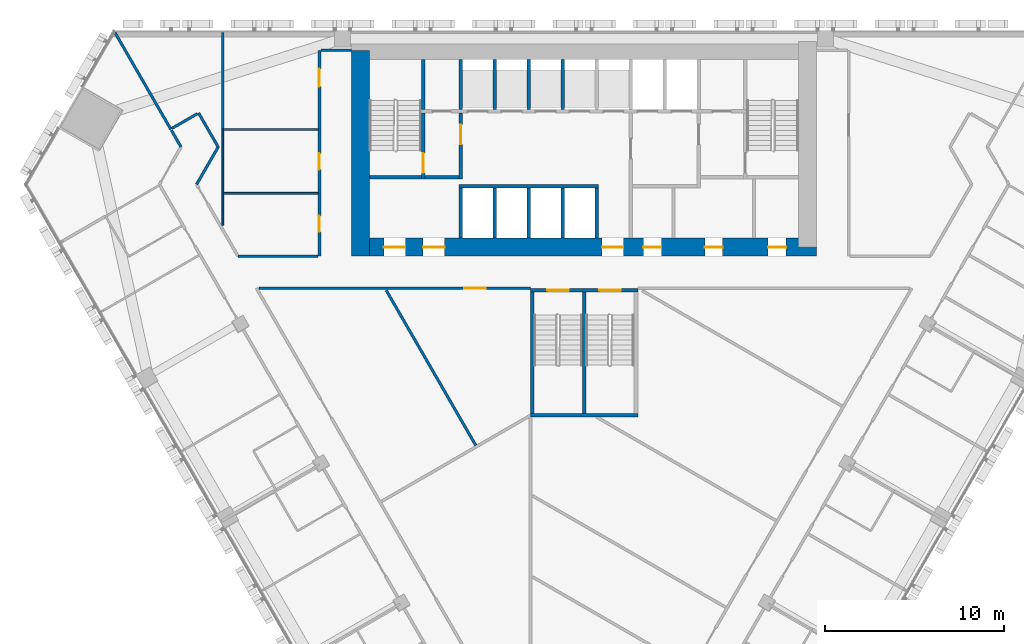
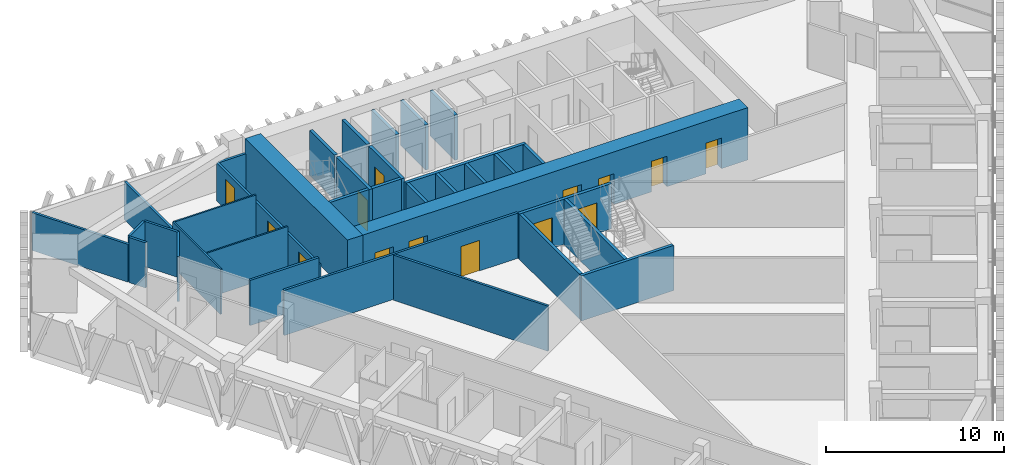
# One storey, part 12 of 17: 35 walls, 14 doors, 14 openings.
"""IFC4 building model written with IfcOpenShell, lengths in metres."""

from ifc_helpers import new_model, si_unit, direction, frame, frame_2d, origin, place, context, subcontext, project, spatial, rectangle, extrude, material, layer, layer_set, type_object, element, fill, save


model = new_model("IFC4")

# Units and contexts
model_context = context("Model", 3, precision=1e-05, world=origin(), true_north=direction((0.0, 1.0)))
body_context = subcontext(model_context, "Body", "Model", "MODEL_VIEW")
ifc_project = project(units=[si_unit("LENGTHUNIT", "METRE"), si_unit("AREAUNIT", "SQUARE_METRE"), si_unit("VOLUMEUNIT", "CUBIC_METRE"), si_unit("PLANEANGLEUNIT", "RADIAN"), si_unit("MASSUNIT", "GRAM", prefix="KILO")], contexts=[model_context])

# Site, building, storey
site_placement = place(None, origin())
site = spatial("IfcSite", under=ifc_project, at=site_placement, CompositionType="ELEMENT")
building_placement = place(site_placement, origin())
building = spatial("IfcBuilding", under=site, at=building_placement, Name="Altiplano Prism Tower", CompositionType="ELEMENT")
storey_placement = place(building_placement, frame((0.0, 0.0, 30.60009765625)))
storey = spatial("IfcBuildingStorey", under=building, at=storey_placement, Name="L06", CompositionType="ELEMENT", Elevation=30.60009765625)

# Wall, openings, doors
ifc_material_1 = material(Name="Concrete C70/85", Category="concrete")
ifc_layer_1 = layer(ifc_material_1, 1.0)
ifc_layer_set_1 = layer_set([ifc_layer_1], Name="Concrete C70/85")
wall_type_1 = type_object("IfcWallType", Name="Core wall 1000", PredefinedType="SHEAR", material=ifc_layer_set_1)
wall_1_placement = place(storey_placement, frame((72.5, 92.89990234375, 0.0), z_axis=(0.0, 0.0, 1.0), x_axis=(1.0, 0.0, 0.0)))
wall_1 = element("IfcWall", 1, at=wall_1_placement, inside=storey, type_object=wall_type_1, Name="Core wall S L06", PredefinedType="SHEAR", context=body_context, shape_type="SweptSolid", body=[
    extrude(rectangle(XDim=25.5, YDim=1.0, at=frame_2d((12.75, 0.0))), origin(), (0.0, 0.0, 1.0), 3.599853515625),
])
opening_1_placement = place(wall_1_placement, frame((1.300048828125, 0.0, 0.0)))
opening_1 = element("IfcOpeningElement", 2, at=opening_1_placement, cuts=wall_1, Name="Opening D2673", PredefinedType="OPENING", context=body_context, shape_type="SweptSolid", body=[
    extrude(rectangle(XDim=1.199951171875, YDim=2.10009765625, at=frame_2d((0.60009765625, 1.050048828125))), frame((0.0, 0.510498046875, 0.0), z_axis=(0.0, -1.0, 0.0), x_axis=(1.0, 0.0, 0.0)), (0.0, 0.0, 1.0), 1.02099609375),
])
opening_2_placement = place(wall_1_placement, frame((3.5, 0.0, 0.0)))
opening_2 = element("IfcOpeningElement", 3, at=opening_2_placement, cuts=wall_1, Name="Opening D2674", PredefinedType="OPENING", context=body_context, shape_type="SweptSolid", body=[
    extrude(rectangle(XDim=1.199951171875, YDim=2.10009765625, at=frame_2d((0.60009765625, 1.050048828125))), frame((0.0, 0.510498046875, 0.0), z_axis=(0.0, -1.0, 0.0), x_axis=(1.0, 0.0, 0.0)), (0.0, 0.0, 1.0), 1.02099609375),
])
opening_3_placement = place(wall_1_placement, frame((13.5, 0.0, 0.0)))
opening_3 = element("IfcOpeningElement", 4, at=opening_3_placement, cuts=wall_1, Name="Opening D2675", PredefinedType="OPENING", context=body_context, shape_type="SweptSolid", body=[
    extrude(rectangle(XDim=1.199951171875, YDim=2.10009765625, at=frame_2d((0.60009765625, 1.050048828125))), frame((0.0, 0.510498046875, 0.0), z_axis=(0.0, -1.0, 0.0), x_axis=(1.0, 0.0, 0.0)), (0.0, 0.0, 1.0), 1.02099609375),
])
opening_4_placement = place(wall_1_placement, frame((15.8125, 0.0, 0.0)))
opening_4 = element("IfcOpeningElement", 5, at=opening_4_placement, cuts=wall_1, Name="Opening D2678", PredefinedType="OPENING", context=body_context, shape_type="SweptSolid", body=[
    extrude(rectangle(XDim=1.0, YDim=2.10009765625, at=frame_2d((0.5, 1.050048828125))), frame((0.0, 0.510498046875, 0.0), z_axis=(0.0, -1.0, 0.0), x_axis=(1.0, 0.0, 0.0)), (0.0, 0.0, 1.0), 1.02099609375),
])
opening_5_placement = place(wall_1_placement, frame((19.25, 0.0, 0.0)))
opening_5 = element("IfcOpeningElement", 6, at=opening_5_placement, cuts=wall_1, Name="Opening D2679", PredefinedType="OPENING", context=body_context, shape_type="SweptSolid", body=[
    extrude(rectangle(XDim=1.0, YDim=2.10009765625, at=frame_2d((0.5, 1.050048828125))), frame((0.0, 0.510498046875, 0.0), z_axis=(0.0, -1.0, 0.0), x_axis=(1.0, 0.0, 0.0)), (0.0, 0.0, 1.0), 1.02099609375),
])
opening_6_placement = place(wall_1_placement, frame((22.78759765625, 0.0, 0.0)))
opening_6 = element("IfcOpeningElement", 7, at=opening_6_placement, cuts=wall_1, Name="Opening D2680", PredefinedType="OPENING", context=body_context, shape_type="SweptSolid", body=[
    extrude(rectangle(XDim=1.0, YDim=2.10009765625, at=frame_2d((0.5, 1.050048828125))), frame((0.0, 0.510498046875, 0.0), z_axis=(0.0, -1.0, 0.0), x_axis=(1.0, 0.0, 0.0)), (0.0, 0.0, 1.0), 1.02099609375),
])
ifc_material_2 = material(Name="Fire-rated steel door", Category="steel")
door_type_1 = type_object("IfcDoorType", Name="Core room door 1000 x 2100", OperationType="NOTDEFINED", PredefinedType="NOTDEFINED", material=ifc_material_2)
door_1_placement = place(opening_4_placement, origin())
door_1 = element("IfcDoor", 8, at=door_1_placement, inside=storey, type_object=door_type_1, Name="Core room door D2678", OperationType="SINGLE_SWING_RIGHT", OverallHeight=2.10009765625, OverallWidth=1.0, PredefinedType="NOTDEFINED", context=body_context, shape_type="SweptSolid", body=[
    extrude(rectangle(XDim=1.0, YDim=2.10009765625, at=frame_2d((0.5, 1.050048828125))), frame((0.0, 0.02490234375, 0.0), z_axis=(0.0, -1.0, 0.0), x_axis=(1.0, 0.0, 0.0)), (0.0, 0.0, 1.0), 0.050048828125),
])
fill(opening_4, door_1)
door_2_placement = place(opening_5_placement, origin())
door_2 = element("IfcDoor", 9, at=door_2_placement, inside=storey, type_object=door_type_1, Name="Core room door D2679", OperationType="SINGLE_SWING_LEFT", OverallHeight=2.10009765625, OverallWidth=1.0, PredefinedType="NOTDEFINED", context=body_context, shape_type="SweptSolid", body=[
    extrude(rectangle(XDim=1.0, YDim=2.10009765625, at=frame_2d((0.5, 1.050048828125))), frame((0.0, 0.02490234375, 0.0), z_axis=(0.0, -1.0, 0.0), x_axis=(1.0, 0.0, 0.0)), (0.0, 0.0, 1.0), 0.050048828125),
])
fill(opening_5, door_2)
door_3_placement = place(opening_6_placement, origin())
door_3 = element("IfcDoor", 10, at=door_3_placement, inside=storey, type_object=door_type_1, Name="Core room door D2680", OperationType="SINGLE_SWING_RIGHT", OverallHeight=2.10009765625, OverallWidth=1.0, PredefinedType="NOTDEFINED", context=body_context, shape_type="SweptSolid", body=[
    extrude(rectangle(XDim=1.0, YDim=2.10009765625, at=frame_2d((0.5, 1.050048828125))), frame((0.0, 0.02490234375, 0.0), z_axis=(0.0, -1.0, 0.0), x_axis=(1.0, 0.0, 0.0)), (0.0, 0.0, 1.0), 0.050048828125),
])
fill(opening_6, door_3)
door_type_2 = type_object("IfcDoorType", Name="Lobby fire door 1200 x 2100", OperationType="NOTDEFINED", PredefinedType="NOTDEFINED", material=ifc_material_2)
door_4_placement = place(opening_1_placement, origin())
door_4 = element("IfcDoor", 11, at=door_4_placement, inside=storey, type_object=door_type_2, Name="Lobby fire door D2673", OperationType="SINGLE_SWING_RIGHT", OverallHeight=2.10009765625, OverallWidth=1.199951171875, PredefinedType="NOTDEFINED", context=body_context, shape_type="SweptSolid", body=[
    extrude(rectangle(XDim=1.199951171875, YDim=2.10009765625, at=frame_2d((0.60009765625, 1.050048828125))), frame((0.0, 0.02490234375, 0.0), z_axis=(0.0, -1.0, 0.0), x_axis=(1.0, 0.0, 0.0)), (0.0, 0.0, 1.0), 0.050048828125),
])
fill(opening_1, door_4)
door_5_placement = place(opening_2_placement, origin())
door_5 = element("IfcDoor", 12, at=door_5_placement, inside=storey, type_object=door_type_2, Name="Lobby fire door D2674", OperationType="SINGLE_SWING_LEFT", OverallHeight=2.10009765625, OverallWidth=1.199951171875, PredefinedType="NOTDEFINED", context=body_context, shape_type="SweptSolid", body=[
    extrude(rectangle(XDim=1.199951171875, YDim=2.10009765625, at=frame_2d((0.60009765625, 1.050048828125))), frame((0.0, 0.02490234375, 0.0), z_axis=(0.0, -1.0, 0.0), x_axis=(1.0, 0.0, 0.0)), (0.0, 0.0, 1.0), 0.050048828125),
])
fill(opening_2, door_5)
door_6_placement = place(opening_3_placement, origin())
door_6 = element("IfcDoor", 13, at=door_6_placement, inside=storey, type_object=door_type_2, Name="Lobby fire door D2675", OperationType="SINGLE_SWING_RIGHT", OverallHeight=2.10009765625, OverallWidth=1.199951171875, PredefinedType="NOTDEFINED", context=body_context, shape_type="SweptSolid", body=[
    extrude(rectangle(XDim=1.199951171875, YDim=2.10009765625, at=frame_2d((0.60009765625, 1.050048828125))), frame((0.0, 0.02490234375, 0.0), z_axis=(0.0, -1.0, 0.0), x_axis=(1.0, 0.0, 0.0)), (0.0, 0.0, 1.0), 0.050048828125),
])
fill(opening_3, door_6)

# Walls
wall_2_placement = place(storey_placement, frame((72.5, 103.89990234375, 0.0), z_axis=(0.0, 0.0, 1.0), x_axis=(0.0, -1.0, 0.0)))
element("IfcWall", 14, at=wall_2_placement, inside=storey, type_object=wall_type_1, Name="Core wall W L06", PredefinedType="SHEAR", context=body_context, shape_type="SweptSolid", body=[
    extrude(rectangle(XDim=11.5, YDim=1.0, at=frame_2d((5.75, 0.0))), origin(), (0.0, 0.0, 1.0), 3.599853515625),
])
ifc_material_3 = material(Name="Plasterboard on steel stud", Category="steel")
ifc_layer_2 = layer(ifc_material_3, 0.10009765625)
ifc_layer_set_2 = layer_set([ifc_layer_2], Name="Plasterboard on steel stud")
wall_type_2 = type_object("IfcWallType", Name="Partition 100 wet", PredefinedType="PARTITIONING", material=ifc_layer_set_2)
wall_3_placement = place(storey_placement, frame((70.125, 95.9072265625, 0.0), z_axis=(0.0, 0.0, 1.0), x_axis=(-1.0, 0.0, 0.0)))
element("IfcWall", 15, at=wall_3_placement, inside=storey, type_object=wall_type_2, Name="Partition P03 L06 027", PredefinedType="PARTITIONING", context=body_context, shape_type="SweptSolid", body=[
    extrude(rectangle(XDim=5.28125, YDim=0.10009765625, at=frame_2d((2.640625, 0.0))), origin(), (0.0, 0.0, 1.0), 3.099853515625),
])
wall_4_placement = place(storey_placement, frame((64.793701171875, 99.493408203125, 0.0), z_axis=(0.0, 0.0, 1.0), x_axis=(0.0, -1.0, 0.0)))
element("IfcWall", 16, at=wall_4_placement, inside=storey, type_object=wall_type_2, Name="Partition P03 L06 028", PredefinedType="PARTITIONING", context=body_context, shape_type="SweptSolid", body=[
    extrude(rectangle(XDim=5.38134765625, YDim=0.10009765625, at=frame_2d((2.690673828125, 0.0))), origin(), (0.0, 0.0, 1.0), 3.099853515625),
])
wall_5_placement = place(storey_placement, frame((70.125, 99.4736328125, 0.0), z_axis=(0.0, 0.0, 1.0), x_axis=(-1.0, 0.0, 0.0)))
element("IfcWall", 17, at=wall_5_placement, inside=storey, type_object=wall_type_2, Name="Partition P03 L06 029", PredefinedType="PARTITIONING", context=body_context, shape_type="SweptSolid", body=[
    extrude(rectangle(XDim=5.331298828125, YDim=0.10009765625, at=frame_2d((2.66552734375, 0.0))), origin(), (0.0, 0.0, 1.0), 3.099853515625),
])
ifc_layer_3 = layer(ifc_material_3, 0.14990234375)
ifc_layer_set_3 = layer_set([ifc_layer_3], Name="Plasterboard on steel stud")
wall_type_3 = type_object("IfcWallType", Name="Partition 150 corridor", PredefinedType="PARTITIONING", material=ifc_layer_set_3)
wall_6_placement = place(storey_placement, frame((70.125, 92.39990234375, 0.0), z_axis=(0.0, 0.0, 1.0), x_axis=(-1.0, 0.0, 0.0)))
element("IfcWall", 18, at=wall_6_placement, inside=storey, type_object=wall_type_3, Name="Partition P06 L06 001", PredefinedType="PARTITIONING", context=body_context, shape_type="SweptSolid", body=[
    extrude(rectangle(XDim=4.4794921875, YDim=0.14990234375, at=frame_2d((2.23974609375, 0.0))), origin(), (0.0, 0.0, 1.0), 3.099853515625),
])

# Wall, openings, doors
wall_7_placement = place(storey_placement, frame((70.199951171875, 103.89990234375, 0.0), z_axis=(0.0, 0.0, 1.0), x_axis=(0.0, -1.0, 0.0)))
wall_7 = element("IfcWall", 19, at=wall_7_placement, inside=storey, type_object=wall_type_3, Name="Partition P06 L06 002", PredefinedType="PARTITIONING", context=body_context, shape_type="SweptSolid", body=[
    extrude(rectangle(XDim=11.5, YDim=0.14990234375, at=frame_2d((5.75, 0.0))), origin(), (0.0, 0.0, 1.0), 2.599853515625),
])
opening_7_placement = place(wall_7_placement, frame((9.2529296875, 0.0, 0.0)))
opening_7 = element("IfcOpeningElement", 20, at=opening_7_placement, cuts=wall_7, Name="Opening D0180", PredefinedType="OPENING", context=body_context, shape_type="SweptSolid", body=[
    extrude(rectangle(XDim=0.89990234375, YDim=2.10009765625, at=frame_2d((0.449951171875, 1.050048828125))), frame((0.0, 0.08544921875, 0.0), z_axis=(0.0, -1.0, 0.0), x_axis=(1.0, 0.0, 0.0)), (0.0, 0.0, 1.0), 0.1708984375),
])
opening_8_placement = place(wall_7_placement, frame((5.760009765625, 0.0, 0.0)))
opening_8 = element("IfcOpeningElement", 21, at=opening_8_placement, cuts=wall_7, Name="Opening D0181", PredefinedType="OPENING", context=body_context, shape_type="SweptSolid", body=[
    extrude(rectangle(XDim=0.89990234375, YDim=2.10009765625, at=frame_2d((0.449951171875, 1.050048828125))), frame((0.0, 0.08544921875, 0.0), z_axis=(0.0, -1.0, 0.0), x_axis=(1.0, 0.0, 0.0)), (0.0, 0.0, 1.0), 0.1708984375),
])
opening_9_placement = place(wall_7_placement, frame((1.02587890625, 0.0, 0.0)))
opening_9 = element("IfcOpeningElement", 22, at=opening_9_placement, cuts=wall_7, Name="Opening D0183", PredefinedType="OPENING", context=body_context, shape_type="SweptSolid", body=[
    extrude(rectangle(XDim=1.0, YDim=2.10009765625, at=frame_2d((0.5, 1.050048828125))), frame((0.0, 0.08544921875, 0.0), z_axis=(0.0, -1.0, 0.0), x_axis=(1.0, 0.0, 0.0)), (0.0, 0.0, 1.0), 0.1708984375),
])
ifc_material_4 = material(Name="Timber", Category="wood")
door_type_3 = type_object("IfcDoorType", Name="Store door 1000 x 2100", OperationType="NOTDEFINED", PredefinedType="NOTDEFINED", material=ifc_material_4)
door_7_placement = place(opening_9_placement, origin())
door_7 = element("IfcDoor", 23, at=door_7_placement, inside=storey, type_object=door_type_3, Name="Door D0183", OperationType="SINGLE_SWING_LEFT", OverallHeight=2.10009765625, OverallWidth=1.0, PredefinedType="NOTDEFINED", context=body_context, shape_type="SweptSolid", body=[
    extrude(rectangle(XDim=1.0, YDim=2.10009765625, at=frame_2d((0.5, 1.050048828125))), frame((0.0, 0.02490234375, 0.0), z_axis=(0.0, -1.0, 0.0), x_axis=(1.0, 0.0, 0.0)), (0.0, 0.0, 1.0), 0.050048828125),
])
fill(opening_9, door_7)
door_type_4 = type_object("IfcDoorType", Name="Toilet door 900 x 2100", OperationType="NOTDEFINED", PredefinedType="NOTDEFINED", material=ifc_material_4)
door_8_placement = place(opening_7_placement, origin())
door_8 = element("IfcDoor", 24, at=door_8_placement, inside=storey, type_object=door_type_4, Name="Door D0180", OperationType="SINGLE_SWING_RIGHT", OverallHeight=2.10009765625, OverallWidth=0.89990234375, PredefinedType="NOTDEFINED", context=body_context, shape_type="SweptSolid", body=[
    extrude(rectangle(XDim=0.89990234375, YDim=2.10009765625, at=frame_2d((0.449951171875, 1.050048828125))), frame((0.0, 0.02490234375, 0.0), z_axis=(0.0, -1.0, 0.0), x_axis=(1.0, 0.0, 0.0)), (0.0, 0.0, 1.0), 0.050048828125),
])
fill(opening_7, door_8)
door_9_placement = place(opening_8_placement, origin())
door_9 = element("IfcDoor", 25, at=door_9_placement, inside=storey, type_object=door_type_4, Name="Door D0181", OperationType="SINGLE_SWING_RIGHT", OverallHeight=2.10009765625, OverallWidth=0.89990234375, PredefinedType="NOTDEFINED", context=body_context, shape_type="SweptSolid", body=[
    extrude(rectangle(XDim=0.89990234375, YDim=2.10009765625, at=frame_2d((0.449951171875, 1.050048828125))), frame((0.0, 0.02490234375, 0.0), z_axis=(0.0, -1.0, 0.0), x_axis=(1.0, 0.0, 0.0)), (0.0, 0.0, 1.0), 0.050048828125),
])
fill(opening_8, door_9)

# Walls
wall_8_placement = place(storey_placement, frame((63.33251953125, 96.406494140625, 0.0), z_axis=(0.0, 0.0, 1.0), x_axis=(0.500016772967, 0.866015719691, 0.0)))
element("IfcWall", 26, at=wall_8_placement, inside=storey, type_object=wall_type_3, Name="Partition P06 L06 004", PredefinedType="PARTITIONING", context=body_context, shape_type="SweptSolid", body=[
    extrude(rectangle(XDim=2.41748046875, YDim=0.14990234375, at=frame_2d((1.208740234375, 0.0))), origin(), (0.0, 0.0, 1.0), 3.099853515625),
])
wall_9_placement = place(storey_placement, frame((64.541259765625, 98.5, 0.0), z_axis=(0.0, 0.0, 1.0), x_axis=(-0.500005024956, 0.866022502605, 0.0)))
element("IfcWall", 27, at=wall_9_placement, inside=storey, type_object=wall_type_3, Name="Partition P06 L06 005", PredefinedType="PARTITIONING", context=body_context, shape_type="SweptSolid", body=[
    extrude(rectangle(XDim=2.19384765625, YDim=0.14990234375, at=frame_2d((1.096923828125, 0.0))), origin(), (0.0, 0.0, 1.0), 3.099853515625),
])
wall_10_placement = place(storey_placement, frame((63.379150390625, 100.362548828125, 0.0), z_axis=(0.0, 0.0, 1.0), x_axis=(-0.866003217194, -0.500038426333, 0.0)))
element("IfcWall", 28, at=wall_10_placement, inside=storey, type_object=wall_type_3, Name="Partition P06 L06 006", PredefinedType="PARTITIONING", context=body_context, shape_type="SweptSolid", body=[
    extrude(rectangle(XDim=1.649658203125, YDim=0.14990234375, at=frame_2d((0.82470703125, 0.0))), origin(), (0.0, 0.0, 1.0), 3.099853515625),
])
wall_11_placement = place(storey_placement, frame((72.0, 103.89990234375, 0.0), z_axis=(0.0, 0.0, 1.0), x_axis=(-1.0, 0.0, 0.0)))
element("IfcWall", 29, at=wall_11_placement, inside=storey, type_object=wall_type_3, Name="Partition P06 L06 007", PredefinedType="PARTITIONING", context=body_context, shape_type="SweptSolid", body=[
    extrude(rectangle(XDim=1.72509765625, YDim=0.14990234375, at=frame_2d((0.862548828125, 0.0))), origin(), (0.0, 0.0, 1.0), 2.599853515625),
])
wall_12_placement = place(storey_placement, frame((61.9228515625, 99.43505859375, 0.0), z_axis=(0.0, 0.0, 1.0), x_axis=(0.499957341738, -0.866050031143, 0.0)))
element("IfcWall", 30, at=wall_12_placement, inside=storey, type_object=wall_type_3, Name="Partition P06 L06 008", PredefinedType="PARTITIONING", context=body_context, shape_type="SweptSolid", body=[
    extrude(rectangle(XDim=1.07958984375, YDim=0.14990234375, at=frame_2d((0.539794921875, 0.0))), origin(), (0.0, 0.0, 1.0), 3.099853515625),
])

# Wall, opening, door
wall_13_placement = place(storey_placement, frame((66.814697265625, 90.60009765625, 0.0), z_axis=(0.0, 0.0, 1.0), x_axis=(0.999999997932, -6.4309715e-05, 0.0)))
wall_13 = element("IfcWall", 31, at=wall_13_placement, inside=storey, type_object=wall_type_3, Name="Partition P06 L06 026", PredefinedType="PARTITIONING", context=body_context, shape_type="SweptSolid", body=[
    extrude(rectangle(XDim=15.185302734375, YDim=0.14990234375, at=frame_2d((7.5927734375, 0.0))), origin(), (0.0, 0.0, 1.0), 3.099853515625),
])
opening_10_placement = place(wall_13_placement, frame((11.491943359375, 0.0, 0.0)))
opening_10 = element("IfcOpeningElement", 32, at=opening_10_placement, cuts=wall_13, Name="Opening D0225", PredefinedType="OPENING", context=body_context, shape_type="SweptSolid", body=[
    extrude(rectangle(XDim=1.199951171875, YDim=2.10009765625, at=frame_2d((0.60009765625, 1.050048828125))), frame((0.0, 0.08544921875, 0.0), z_axis=(0.0, -1.0, 0.0), x_axis=(1.0, 0.0, 0.0)), (0.0, 0.0, 1.0), 0.1708984375),
])
door_type_5 = type_object("IfcDoorType", Name="Shared room door 1200 x 2100", OperationType="NOTDEFINED", PredefinedType="NOTDEFINED", material=ifc_material_4)
door_10_placement = place(opening_10_placement, origin())
door_10 = element("IfcDoor", 33, at=door_10_placement, inside=storey, type_object=door_type_5, Name="Door D0225", OperationType="SINGLE_SWING_LEFT", OverallHeight=2.10009765625, OverallWidth=1.199951171875, PredefinedType="NOTDEFINED", context=body_context, shape_type="SweptSolid", body=[
    extrude(rectangle(XDim=1.199951171875, YDim=2.10009765625, at=frame_2d((0.60009765625, 1.050048828125))), frame((0.0, 0.02490234375, 0.0), z_axis=(0.0, -1.0, 0.0), x_axis=(1.0, 0.0, 0.0)), (0.0, 0.0, 1.0), 0.050048828125),
])
fill(opening_10, door_10)

# Walls
ifc_layer_4 = layer(ifc_material_3, 0.14990234375)
ifc_layer_set_4 = layer_set([ifc_layer_4], Name="Plasterboard on steel stud")
wall_type_4 = type_object("IfcWallType", Name="Partition 150 party", PredefinedType="PARTITIONING", material=ifc_layer_set_4)
wall_14_placement = place(storey_placement, frame((64.793701171875, 99.4736328125, 0.0), z_axis=(0.0, 0.0, 1.0), x_axis=(0.0, 1.0, 0.0)))
element("IfcWall", 34, at=wall_14_placement, inside=storey, type_object=wall_type_4, Name="Partition P01 L06 030", PredefinedType="PARTITIONING", context=body_context, shape_type="SweptSolid", body=[
    extrude(rectangle(XDim=5.42626953125, YDim=0.14990234375, at=frame_2d((2.713134765625, 0.0))), origin(), (0.0, 0.0, 1.0), 2.599853515625),
])
wall_15_placement = place(storey_placement, frame((58.767578125, 104.89990234375, 0.0), z_axis=(0.0, 0.0, 1.0), x_axis=(0.500005118993, -0.866022448312, 0.0)))
element("IfcWall", 35, at=wall_15_placement, inside=storey, type_object=wall_type_4, Name="Partition P01 L06 031", PredefinedType="PARTITIONING", context=body_context, shape_type="SweptSolid", body=[
    extrude(rectangle(XDim=6.25537109375, YDim=0.14990234375, at=frame_2d((3.127685546875, 0.0))), origin(), (0.0, 0.0, 1.0), 2.599853515625),
])
wall_16_placement = place(storey_placement, frame((78.943603515625, 81.8134765625, 0.0), z_axis=(0.0, 0.0, 1.0), x_axis=(-0.499990437963, 0.866030924359, 0.0)))
element("IfcWall", 36, at=wall_16_placement, inside=storey, type_object=wall_type_4, Name="Partition P01 L06 093", PredefinedType="PARTITIONING", context=body_context, shape_type="SweptSolid", body=[
    extrude(rectangle(XDim=10.015380859375, YDim=0.14990234375, at=frame_2d((5.0078125, 0.0))), origin(), (0.0, 0.0, 1.0), 3.099853515625),
])
ifc_material_5 = material(Name="Concrete C60/75", Category="concrete")
ifc_layer_5 = layer(ifc_material_5, 0.199951171875)
ifc_layer_set_5 = layer_set([ifc_layer_5], Name="Concrete C60/75")
wall_type_5 = type_object("IfcWallType", Name="Shaft wall 200", PredefinedType="SOLIDWALL", material=ifc_layer_set_5)
for number, where, z_axis, x_axis, name in (
    (37, (78.10009765625, 93.39990234375, 0.0), (0.0, 0.0, 1.0), (0.0, 1.0, 0.0), "Shaft wall L06"),
    (38, (80.0, 93.39990234375, 0.0), (0.0, 0.0, 1.0), (0.0, 1.0, 0.0), "Shaft wall L06"),
    (39, (81.89990234375, 93.39990234375, 0.0), (0.0, 0.0, 1.0), (0.0, 1.0, 0.0), "Shaft wall L06"),
    (40, (83.800048828125, 93.39990234375, 0.0), (0.0, 0.0, 1.0), (0.0, 1.0, 0.0), "Shaft wall L06"),
    (41, (85.699951171875, 93.39990234375, 0.0), (0.0, 0.0, 1.0), (0.0, 1.0, 0.0), "Shaft wall L06"),
):
    element("IfcWall", number, at=place(storey_placement, frame(where, z_axis=z_axis, x_axis=x_axis)), inside=storey, type_object=wall_type_5, Name=name, PredefinedType="SOLIDWALL", context=body_context, shape_type="SweptSolid", body=[
        extrude(rectangle(XDim=2.800048828125, YDim=0.199951171875, at=frame_2d((1.39990234375, 0.0))), origin(), (0.0, 0.0, 1.0), 3.099853515625),
    ])
wall_17_placement = place(storey_placement, frame((78.0, 96.300048828125, 0.0), z_axis=(0.0, 0.0, 1.0), x_axis=(1.0, 0.0, 0.0)))
element("IfcWall", 42, at=wall_17_placement, inside=storey, type_object=wall_type_5, Name="Shaft wall L06", PredefinedType="SOLIDWALL", context=body_context, shape_type="SweptSolid", body=[
    extrude(rectangle(XDim=7.800048828125, YDim=0.199951171875, at=frame_2d((3.89990234375, 0.0))), origin(), (0.0, 0.0, 1.0), 3.099853515625),
])
for number, where, z_axis, x_axis, name in (
    (43, (78.10009765625, 100.60009765625, 0.0), (0.0, 0.0, 1.0), (0.0, 1.0, 0.0), "Shaft wall L06"),
    (44, (80.0, 100.60009765625, 0.0), (0.0, 0.0, 1.0), (0.0, 1.0, 0.0), "Shaft wall L06"),
    (45, (81.89990234375, 100.60009765625, 0.0), (0.0, 0.0, 1.0), (0.0, 1.0, 0.0), "Shaft wall L06"),
    (46, (83.800048828125, 100.60009765625, 0.0), (0.0, 0.0, 1.0), (0.0, 1.0, 0.0), "Shaft wall L06"),
):
    element("IfcWall", number, at=place(storey_placement, frame(where, z_axis=z_axis, x_axis=x_axis)), inside=storey, type_object=wall_type_5, Name=name, PredefinedType="SOLIDWALL", context=body_context, shape_type="SweptSolid", body=[
        extrude(rectangle(XDim=2.7998046875, YDim=0.199951171875, at=frame_2d((1.39990234375, 0.0))), origin(), (0.0, 0.0, 1.0), 3.099853515625),
    ])
ifc_layer_6 = layer(ifc_material_5, 0.199951171875)
ifc_layer_set_6 = layer_set([ifc_layer_6], Name="Concrete C60/75")
wall_type_6 = type_object("IfcWallType", Name="Stair wall 200", PredefinedType="SOLIDWALL", material=ifc_layer_set_6)
wall_18_placement = place(storey_placement, frame((73.0, 96.800048828125, 0.0), z_axis=(0.0, 0.0, 1.0), x_axis=(1.0, 0.0, 0.0)))
element("IfcWall", 47, at=wall_18_placement, inside=storey, type_object=wall_type_6, Name="Stair wall L06", PredefinedType="SOLIDWALL", context=body_context, shape_type="SweptSolid", body=[
    extrude(rectangle(XDim=2.89990234375, YDim=0.199951171875, at=frame_2d((1.449951171875, 0.0))), origin(), (0.0, 0.0, 1.0), 3.099853515625),
])

# Wall, opening, door
wall_19_placement = place(storey_placement, frame((76.0, 96.699951171875, 0.0), z_axis=(0.0, 0.0, 1.0), x_axis=(0.0, 1.0, 0.0)))
wall_19 = element("IfcWall", 48, at=wall_19_placement, inside=storey, type_object=wall_type_6, Name="Stair wall L06", PredefinedType="SOLIDWALL", context=body_context, shape_type="SweptSolid", body=[
    extrude(rectangle(XDim=3.699951171875, YDim=0.199951171875, at=frame_2d((1.85009765625, 0.0))), origin(), (0.0, 0.0, 1.0), 3.099853515625),
])
opening_11_placement = place(wall_19_placement, frame((0.35009765625, 0.0, 0.0)))
opening_11 = element("IfcOpeningElement", 49, at=opening_11_placement, cuts=wall_19, Name="Opening D2668", PredefinedType="OPENING", context=body_context, shape_type="SweptSolid", body=[
    extrude(rectangle(XDim=1.10009765625, YDim=2.10009765625, at=frame_2d((0.550048828125, 1.050048828125))), frame((0.0, 0.1103515625, 0.0), z_axis=(0.0, -1.0, 0.0), x_axis=(1.0, 0.0, 0.0)), (0.0, 0.0, 1.0), 0.220947265625),
])
door_type_6 = type_object("IfcDoorType", Name="Stair fire door 1100 x 2100", OperationType="NOTDEFINED", PredefinedType="NOTDEFINED", material=ifc_material_2)
door_11_placement = place(opening_11_placement, origin())
door_11 = element("IfcDoor", 50, at=door_11_placement, inside=storey, type_object=door_type_6, Name="Stair fire door D2668", OperationType="SINGLE_SWING_RIGHT", OverallHeight=2.10009765625, OverallWidth=1.10009765625, PredefinedType="NOTDEFINED", context=body_context, shape_type="SweptSolid", body=[
    extrude(rectangle(XDim=1.10009765625, YDim=2.10009765625, at=frame_2d((0.550048828125, 1.050048828125))), frame((0.0, 0.02490234375, 0.0), z_axis=(0.0, -1.0, 0.0), x_axis=(1.0, 0.0, 0.0)), (0.0, 0.0, 1.0), 0.050048828125),
])
fill(opening_11, door_11)

# Wall
wall_20_placement = place(storey_placement, frame((76.0, 100.60009765625, 0.0), z_axis=(0.0, 0.0, 1.0), x_axis=(0.0, 1.0, 0.0)))
element("IfcWall", 51, at=wall_20_placement, inside=storey, type_object=wall_type_6, Name="Stair wall L06", PredefinedType="SOLIDWALL", context=body_context, shape_type="SweptSolid", body=[
    extrude(rectangle(XDim=2.7998046875, YDim=0.199951171875, at=frame_2d((1.39990234375, 0.0))), origin(), (0.0, 0.0, 1.0), 3.099853515625),
])

# Wall, openings, doors
wall_21_placement = place(storey_placement, frame((82.0, 90.5, 0.0), z_axis=(0.0, 0.0, 1.0), x_axis=(1.0, 0.0, 0.0)))
wall_21 = element("IfcWall", 52, at=wall_21_placement, inside=storey, type_object=wall_type_6, Name="Stair 3 wall north L06", PredefinedType="SOLIDWALL", context=body_context, shape_type="SweptSolid", body=[
    extrude(rectangle(XDim=6.0, YDim=0.199951171875, at=frame_2d((3.0, 0.0))), origin(), (0.0, 0.0, 1.0), 3.099853515625),
])
opening_12_placement = place(wall_21_placement, frame((0.949951171875, 0.0, 0.0)))
opening_12 = element("IfcOpeningElement", 53, at=opening_12_placement, cuts=wall_21, Name="Opening D3934", PredefinedType="OPENING", context=body_context, shape_type="SweptSolid", body=[
    extrude(rectangle(XDim=1.199951171875, YDim=2.10009765625, at=frame_2d((0.60009765625, 1.050048828125))), frame((0.0, 0.1103515625, 0.0), z_axis=(0.0, -1.0, 0.0), x_axis=(1.0, 0.0, 0.0)), (0.0, 0.0, 1.0), 0.220947265625),
])
opening_13_placement = place(wall_21_placement, frame((3.85009765625, 0.0, 0.0)))
opening_13 = element("IfcOpeningElement", 54, at=opening_13_placement, cuts=wall_21, Name="Opening D3935", PredefinedType="OPENING", context=body_context, shape_type="SweptSolid", body=[
    extrude(rectangle(XDim=1.199951171875, YDim=2.10009765625, at=frame_2d((0.60009765625, 1.050048828125))), frame((0.0, 0.1103515625, 0.0), z_axis=(0.0, -1.0, 0.0), x_axis=(1.0, 0.0, 0.0)), (0.0, 0.0, 1.0), 0.220947265625),
])
door_type_7 = type_object("IfcDoorType", Name="Stair fire door 1200 x 2100", OperationType="NOTDEFINED", PredefinedType="NOTDEFINED", material=ifc_material_2)
door_12_placement = place(opening_12_placement, origin())
door_12 = element("IfcDoor", 55, at=door_12_placement, inside=storey, type_object=door_type_7, Name="Stair fire door D3934", OperationType="SINGLE_SWING_LEFT", OverallHeight=2.10009765625, OverallWidth=1.199951171875, PredefinedType="NOTDEFINED", context=body_context, shape_type="SweptSolid", body=[
    extrude(rectangle(XDim=1.199951171875, YDim=2.10009765625, at=frame_2d((0.60009765625, 1.050048828125))), frame((0.0, 0.02490234375, 0.0), z_axis=(0.0, -1.0, 0.0), x_axis=(1.0, 0.0, 0.0)), (0.0, 0.0, 1.0), 0.050048828125),
])
fill(opening_12, door_12)
door_13_placement = place(opening_13_placement, origin())
door_13 = element("IfcDoor", 56, at=door_13_placement, inside=storey, type_object=door_type_7, Name="Stair fire door D3935", OperationType="SINGLE_SWING_LEFT", OverallHeight=2.10009765625, OverallWidth=1.199951171875, PredefinedType="NOTDEFINED", context=body_context, shape_type="SweptSolid", body=[
    extrude(rectangle(XDim=1.199951171875, YDim=2.10009765625, at=frame_2d((0.60009765625, 1.050048828125))), frame((0.0, 0.02490234375, 0.0), z_axis=(0.0, -1.0, 0.0), x_axis=(1.0, 0.0, 0.0)), (0.0, 0.0, 1.0), 0.050048828125),
])
fill(opening_13, door_13)

# Walls
wall_22_placement = place(storey_placement, frame((82.0, 83.5, 0.0), z_axis=(0.0, 0.0, 1.0), x_axis=(1.0, 0.0, 0.0)))
element("IfcWall", 57, at=wall_22_placement, inside=storey, type_object=wall_type_6, Name="Stair 3 wall south L06", PredefinedType="SOLIDWALL", context=body_context, shape_type="SweptSolid", body=[
    extrude(rectangle(XDim=6.0, YDim=0.199951171875, at=frame_2d((3.0, 0.0))), origin(), (0.0, 0.0, 1.0), 3.099853515625),
])
for number, where, z_axis, x_axis, name in (
    (58, (82.10009765625, 83.60009765625, 0.0), (0.0, 0.0, 1.0), (0.0, 1.0, 0.0), "Stair 3 wall west L06"),
    (59, (85.0, 83.60009765625, 0.0), (0.0, 0.0, 1.0), (0.0, 1.0, 0.0), "Stair 3 wall divider L06"),
):
    element("IfcWall", number, at=place(storey_placement, frame(where, z_axis=z_axis, x_axis=x_axis)), inside=storey, type_object=wall_type_6, Name=name, PredefinedType="SOLIDWALL", context=body_context, shape_type="SweptSolid", body=[
        extrude(rectangle(XDim=6.7998046875, YDim=0.199951171875, at=frame_2d((3.39990234375, 0.0))), origin(), (0.0, 0.0, 1.0), 3.099853515625),
    ])
ifc_layer_7 = layer(ifc_material_5, 0.199951171875)
ifc_layer_set_7 = layer_set([ifc_layer_7], Name="Concrete C60/75")
wall_type_7 = type_object("IfcWallType", Name="Vestibule wall 200", PredefinedType="PARTITIONING", material=ifc_layer_set_7)
wall_23_placement = place(storey_placement, frame((76.10009765625, 96.800048828125, 0.0), z_axis=(0.0, 0.0, 1.0), x_axis=(1.0, 0.0, 0.0)))
element("IfcWall", 60, at=wall_23_placement, inside=storey, type_object=wall_type_7, Name="Vestibule wall L06", PredefinedType="PARTITIONING", context=body_context, shape_type="SweptSolid", body=[
    extrude(rectangle(XDim=1.89990234375, YDim=0.199951171875, at=frame_2d((0.949951171875, 0.0))), origin(), (0.0, 0.0, 1.0), 3.099853515625),
])

# Wall, opening, door
wall_24_placement = place(storey_placement, frame((78.10009765625, 96.699951171875, 0.0), z_axis=(0.0, 0.0, 1.0), x_axis=(0.0, 1.0, 0.0)))
wall_24 = element("IfcWall", 61, at=wall_24_placement, inside=storey, type_object=wall_type_7, Name="Vestibule wall L06", PredefinedType="PARTITIONING", context=body_context, shape_type="SweptSolid", body=[
    extrude(rectangle(XDim=3.699951171875, YDim=0.199951171875, at=frame_2d((1.85009765625, 0.0))), origin(), (0.0, 0.0, 1.0), 3.099853515625),
])
opening_14_placement = place(wall_24_placement, frame((1.949951171875, 0.0, 0.0)))
opening_14 = element("IfcOpeningElement", 62, at=opening_14_placement, cuts=wall_24, Name="Opening D2670", PredefinedType="OPENING", context=body_context, shape_type="SweptSolid", body=[
    extrude(rectangle(XDim=1.10009765625, YDim=2.10009765625, at=frame_2d((0.550048828125, 1.050048828125))), frame((0.0, 0.1103515625, 0.0), z_axis=(0.0, -1.0, 0.0), x_axis=(1.0, 0.0, 0.0)), (0.0, 0.0, 1.0), 0.220947265625),
])
door_type_8 = type_object("IfcDoorType", Name="Vestibule fire door 1100 x 2100", OperationType="NOTDEFINED", PredefinedType="NOTDEFINED", material=ifc_material_2)
door_14_placement = place(opening_14_placement, origin())
door_14 = element("IfcDoor", 63, at=door_14_placement, inside=storey, type_object=door_type_8, Name="Vestibule fire door D2670", OperationType="SINGLE_SWING_LEFT", OverallHeight=2.10009765625, OverallWidth=1.10009765625, PredefinedType="NOTDEFINED", context=body_context, shape_type="SweptSolid", body=[
    extrude(rectangle(XDim=1.10009765625, YDim=2.10009765625, at=frame_2d((0.550048828125, 1.050048828125))), frame((0.0, 0.02490234375, 0.0), z_axis=(0.0, -1.0, 0.0), x_axis=(1.0, 0.0, 0.0)), (0.0, 0.0, 1.0), 0.050048828125),
])
fill(opening_14, door_14)

save(model, "model.ifc")
